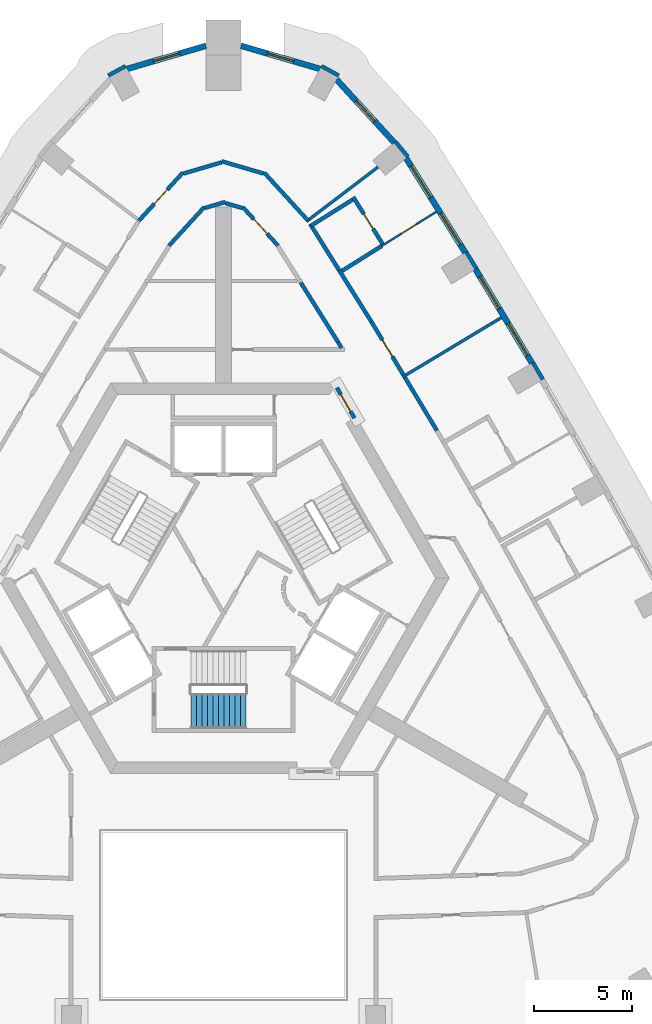
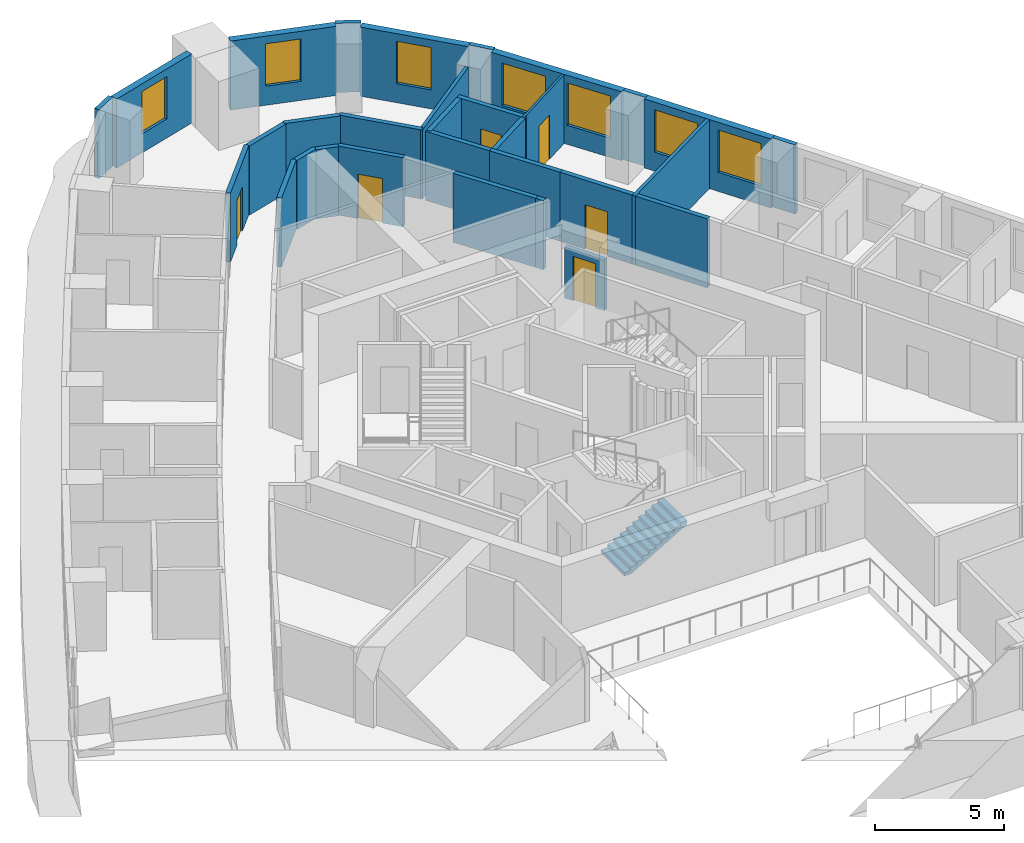
# One storey, part 9 of 13: 31 walls, 7 windows, 6 doors, 1 stair flight, 13 openings, 1 element without a shape of its own.
"""IFC4 building model written with IfcOpenShell, lengths in metres."""

from ifc_helpers import new_model, si_unit, direction, frame, frame_2d, origin, place, context, subcontext, project, spatial, polyline, rectangle, outline, extrude, material, layer, layer_set, type_object, element, fill, aggregate, save


model = new_model("IFC4")

# Units and contexts
model_context = context("Model", 3, precision=1e-05, world=origin(), true_north=direction((0.0, 1.0)))
body_context = subcontext(model_context, "Body", "Model", "MODEL_VIEW")
ifc_project = project(units=[si_unit("LENGTHUNIT", "METRE"), si_unit("AREAUNIT", "SQUARE_METRE"), si_unit("VOLUMEUNIT", "CUBIC_METRE"), si_unit("PLANEANGLEUNIT", "RADIAN"), si_unit("MASSUNIT", "GRAM", prefix="KILO")], contexts=[model_context])

# Site, building, storey
site_placement = place(None, origin())
site = spatial("IfcSite", under=ifc_project, at=site_placement, CompositionType="ELEMENT")
building_placement = place(site_placement, origin())
building = spatial("IfcBuilding", under=site, at=building_placement, Name="Entoto Arch Interchange Tower", CompositionType="ELEMENT")
storey_placement = place(building_placement, frame((0.0, 0.0, 266.60009765625)))
storey = spatial("IfcBuildingStorey", under=building, at=storey_placement, Name="L61", CompositionType="ELEMENT", Elevation=266.60009765625)

# Wall, opening, door
ifc_material_1 = material(Name="Reinforced concrete C40/50", Category="concrete")
ifc_layer_1 = layer(ifc_material_1, 0.199951171875)
ifc_layer_set_1 = layer_set([ifc_layer_1], Name="Reinforced concrete C40/50")
wall_type_1 = type_object("IfcWallType", Name="CORE GAP INFILL WALL", PredefinedType="PARTITIONING", material=ifc_layer_set_1)
wall_1_placement = place(storey_placement, frame((6.698974609375, 10.697021484375, 0.0), z_axis=(0.0, 0.0, 1.0), x_axis=(-0.499914839587, 0.866074565589, 0.0)))
wall_1 = element("IfcWall", 1, at=wall_1_placement, inside=storey, type_object=wall_type_1, Name="wall:L61:gap2", PredefinedType="PARTITIONING", context=body_context, shape_type="SweptSolid", body=[
    extrude(rectangle(XDim=1.794189453125, YDim=0.199951171875, at=frame_2d((0.89697265625, 0.0))), origin(), (0.0, 0.0, 1.0), 2.39990234375),
])
opening_1_placement = place(wall_1_placement, frame((0.39697265625, 0.0, 0.0)))
opening_1 = element("IfcOpeningElement", 2, at=opening_1_placement, cuts=wall_1, Name="Opening L61-D92", PredefinedType="OPENING", context=body_context, shape_type="SweptSolid", body=[
    extrude(rectangle(XDim=1.0, YDim=2.10009765625, at=frame_2d((0.5, 1.050048828125))), frame((0.0, 0.10986328125, 0.0), z_axis=(0.0, -1.0, 0.0), x_axis=(1.0, 0.0, 0.0)), (0.0, 0.0, 1.0), 0.219970703125),
])
ifc_material_2 = material(Name="Fire-rated Steel S235 door and frame", Category="steel")
door_type_1 = type_object("IfcDoorType", Name="DOOR FD-10 1000x2100", OperationType="SINGLE_SWING_LEFT", PredefinedType="DOOR", material=ifc_material_2)
door_1_placement = place(opening_1_placement, origin())
door_1 = element("IfcDoor", 3, at=door_1_placement, inside=storey, type_object=door_type_1, Name="door:L61:gap2", OperationType="SINGLE_SWING_LEFT", OverallHeight=2.10009765625, OverallWidth=1.0, PredefinedType="DOOR", context=body_context, shape_type="SweptSolid", body=[
    extrude(rectangle(XDim=1.0, YDim=2.10009765625, at=frame_2d((0.5, 1.050048828125))), frame((0.0, 0.02490234375, 0.0), z_axis=(0.0, -1.0, 0.0), x_axis=(1.0, 0.0, 0.0)), (0.0, 0.0, 1.0), 0.050048828125),
])
fill(opening_1, door_1)

ifc_material_3 = material(Name="Gypsum board partition on steel studs", Category="steel")
ifc_layer_2 = layer(ifc_material_3, 0.10009765625)
ifc_layer_set_2 = layer_set([ifc_layer_2], Name="Gypsum board partition on steel studs")
wall_type_2 = type_object("IfcWallType", Name="PARTITION 100", PredefinedType="PARTITIONING", material=ifc_layer_set_2)
wall_2_placement = place(storey_placement, frame((8.091064453125, 19.4990234375, 0.0), z_axis=(0.0, 0.0, 1.0), x_axis=(0.847249319986, 0.53119543464, 0.0)))
wall_2 = element("IfcWall", 4, at=wall_2_placement, inside=storey, type_object=wall_type_2, Name="wall:L61:p123", PredefinedType="PARTITIONING", context=body_context, shape_type="SweptSolid", body=[
    extrude(rectangle(XDim=3.300048828125, YDim=0.10009765625, at=frame_2d((1.64990234375, 0.0))), origin(), (0.0, 0.0, 1.0), 3.260009765625),
])
opening_2_placement = place(wall_2_placement, frame((1.199951171875, 0.0, 0.0)))
opening_2 = element("IfcOpeningElement", 5, at=opening_2_placement, cuts=wall_2, Name="Opening L61-D08", PredefinedType="OPENING", context=body_context, shape_type="SweptSolid", body=[
    extrude(rectangle(XDim=0.89990234375, YDim=2.10009765625, at=frame_2d((0.449951171875, 1.050048828125))), frame((0.0, 0.06005859375, 0.0), z_axis=(0.0, -1.0, 0.0), x_axis=(1.0, 0.0, 0.0)), (0.0, 0.0, 1.0), 0.1201171875),
])
ifc_material_4 = material(Name="Timber door leaf in Steel S235 frame", Category="steel")
door_type_2 = type_object("IfcDoorType", Name="DOOR DS-09 900x2100", OperationType="SINGLE_SWING_LEFT", PredefinedType="DOOR", material=ifc_material_4)
door_2_placement = place(opening_2_placement, origin())
door_2 = element("IfcDoor", 6, at=door_2_placement, inside=storey, type_object=door_type_2, Name="door:L61:08", OperationType="SINGLE_SWING_LEFT", OverallHeight=2.10009765625, OverallWidth=0.89990234375, PredefinedType="DOOR", context=body_context, shape_type="SweptSolid", body=[
    extrude(rectangle(XDim=0.89990234375, YDim=2.10009765625, at=frame_2d((0.449951171875, 1.050048828125))), frame((0.0, 0.02490234375, 0.0), z_axis=(0.0, -1.0, 0.0), x_axis=(1.0, 0.0, 0.0)), (0.0, 0.0, 1.0), 0.050048828125),
])
fill(opening_2, door_2)

# Walls
ifc_layer_3 = layer(ifc_material_3, 0.14990234375)
ifc_layer_set_3 = layer_set([ifc_layer_3], Name="Gypsum board partition on steel studs")
wall_type_3 = type_object("IfcWallType", Name="PARTITION 150", PredefinedType="PARTITIONING", material=ifc_layer_set_3)
wall_3_placement = place(storey_placement, frame((9.156982421875, 12.7919921875, 0.0), z_axis=(0.0, 0.0, 1.0), x_axis=(0.856933793276, 0.515426497129, 0.0)))
element("IfcWall", 7, at=wall_3_placement, inside=storey, type_object=wall_type_3, Name="wall:L61:p122", PredefinedType="PARTITIONING", context=body_context, shape_type="SweptSolid", body=[
    extrude(rectangle(XDim=5.89990234375, YDim=0.14990234375, at=frame_2d((2.949951171875, 0.0))), origin(), (0.0, 0.0, 1.0), 3.260009765625),
])
wall_4_placement = place(storey_placement, frame((4.238037109375, 20.7509765625, 0.0), z_axis=(0.0, 0.0, 1.0), x_axis=(0.795806473987, 0.605551034976, 0.0)))
element("IfcWall", 8, at=wall_4_placement, inside=storey, type_object=wall_type_3, Name="wall:L61:p127", PredefinedType="PARTITIONING", context=body_context, shape_type="SweptSolid", body=[
    extrude(rectangle(XDim=4.604248046875, YDim=0.14990234375, at=frame_2d((2.30224609375, 0.0))), origin(), (0.0, 0.0, 1.0), 3.260009765625),
])
ifc_layer_4 = layer(ifc_material_3, 0.199951171875)
ifc_layer_set_4 = layer_set([ifc_layer_4], Name="Gypsum board partition on steel studs")
wall_type_4 = type_object("IfcWallType", Name="PARTITION 200", PredefinedType="PARTITIONING", material=ifc_layer_set_4)
wall_5_placement = place(storey_placement, frame((6.041015625, 14.285888671875, 0.0), z_axis=(0.0, 0.0, 1.0), x_axis=(-0.513873647624, 0.857865883619, 0.0)))
element("IfcWall", 9, at=wall_5_placement, inside=storey, type_object=wall_type_4, Name="wall:L61:p010", PredefinedType="PARTITIONING", context=body_context, shape_type="SweptSolid", body=[
    extrude(rectangle(XDim=0.346435546875, YDim=0.199951171875, at=frame_2d((0.17333984375, 0.0))), origin(), (0.0, 0.0, 1.0), 3.260009765625),
])
wall_6_placement = place(storey_placement, frame((5.863037109375, 14.5830078125, 0.0), z_axis=(0.0, 0.0, 1.0), x_axis=(-0.531380509042, 0.847133256702, 0.0)))
element("IfcWall", 10, at=wall_6_placement, inside=storey, type_object=wall_type_4, Name="wall:L61:p011", PredefinedType="PARTITIONING", context=body_context, shape_type="SweptSolid", body=[
    extrude(rectangle(XDim=3.60400390625, YDim=0.199951171875, at=frame_2d((1.802001953125, 0.0))), origin(), (0.0, 0.0, 1.0), 3.260009765625),
])

# Wall, opening, door
wall_7_placement = place(storey_placement, frame((2.787109375, 19.52197265625, 0.0), z_axis=(0.0, 0.0, 1.0), x_axis=(-0.675132105979, 0.73769684795, 0.0)))
wall_7 = element("IfcWall", 11, at=wall_7_placement, inside=storey, type_object=wall_type_4, Name="wall:L61:p015", PredefinedType="PARTITIONING", context=body_context, shape_type="SweptSolid", body=[
    extrude(rectangle(XDim=2.669189453125, YDim=0.199951171875, at=frame_2d((1.33447265625, 0.0))), origin(), (0.0, 0.0, 1.0), 3.260009765625),
])
opening_3_placement = place(wall_7_placement, frame((0.8349609375, 0.0, 0.0)))
opening_3 = element("IfcOpeningElement", 12, at=opening_3_placement, cuts=wall_7, Name="Opening L61-D28", PredefinedType="OPENING", context=body_context, shape_type="SweptSolid", body=[
    extrude(rectangle(XDim=1.0, YDim=2.10009765625, at=frame_2d((0.5, 1.050048828125))), frame((0.0, 0.10986328125, 0.0), z_axis=(0.0, -1.0, 0.0), x_axis=(1.0, 0.0, 0.0)), (0.0, 0.0, 1.0), 0.219970703125),
])
door_type_3 = type_object("IfcDoorType", Name="DOOR DS-10 1000x2100", OperationType="SINGLE_SWING_LEFT", PredefinedType="DOOR", material=ifc_material_4)
door_3_placement = place(opening_3_placement, origin())
door_3 = element("IfcDoor", 13, at=door_3_placement, inside=storey, type_object=door_type_3, Name="door:L61:28", OperationType="SINGLE_SWING_LEFT", OverallHeight=2.10009765625, OverallWidth=1.0, PredefinedType="DOOR", context=body_context, shape_type="SweptSolid", body=[
    extrude(rectangle(XDim=1.0, YDim=2.10009765625, at=frame_2d((0.5, 1.050048828125))), frame((0.0, 0.02490234375, 0.0), z_axis=(0.0, -1.0, 0.0), x_axis=(1.0, 0.0, 0.0)), (0.0, 0.0, 1.0), 0.050048828125),
])
fill(opening_3, door_3)

# Walls
wall_8_placement = place(storey_placement, frame((0.95703125, 21.446044921875, 0.0), z_axis=(0.0, 0.0, 1.0), x_axis=(-0.959758875404, 0.28082539252, 0.0)))
element("IfcWall", 14, at=wall_8_placement, inside=storey, type_object=wall_type_4, Name="wall:L61:p016", PredefinedType="PARTITIONING", context=body_context, shape_type="SweptSolid", body=[
    extrude(rectangle(XDim=0.897216796875, YDim=0.199951171875, at=frame_2d((0.44873046875, 0.0))), origin(), (0.0, 0.0, 1.0), 3.260009765625),
])
wall_9_placement = place(storey_placement, frame((0.095947265625, 21.75390625, 0.0), z_axis=(0.0, 0.0, 1.0), x_axis=(-0.959817848073, -0.280623766849, 0.0)))
element("IfcWall", 15, at=wall_9_placement, inside=storey, type_object=wall_type_4, Name="wall:L61:p017", PredefinedType="PARTITIONING", context=body_context, shape_type="SweptSolid", body=[
    extrude(rectangle(XDim=1.09716796875, YDim=0.199951171875, at=frame_2d((0.548583984375, 0.0))), origin(), (0.0, 0.0, 1.0), 3.260009765625),
])
wall_10_placement = place(storey_placement, frame((-0.985107421875, 21.490966796875, 0.0), z_axis=(0.0, 0.0, 1.0), x_axis=(-0.675132105979, -0.73769684795, 0.0)))
element("IfcWall", 16, at=wall_10_placement, inside=storey, type_object=wall_type_4, Name="wall:L61:p018", PredefinedType="PARTITIONING", context=body_context, shape_type="SweptSolid", body=[
    extrude(rectangle(XDim=2.669189453125, YDim=0.199951171875, at=frame_2d((1.33447265625, 0.0))), origin(), (0.0, 0.0, 1.0), 3.260009765625),
])
wall_11_placement = place(storey_placement, frame((9.281005859375, 12.779052734375, 0.0), z_axis=(0.0, 0.0, 1.0), x_axis=(0.515568955032, -0.856848091908, 0.0)))
element("IfcWall", 17, at=wall_11_placement, inside=storey, type_object=wall_type_4, Name="wall:L61:p047", PredefinedType="PARTITIONING", context=body_context, shape_type="SweptSolid", body=[
    extrude(rectangle(XDim=3.177001953125, YDim=0.199951171875, at=frame_2d((1.58837890625, 0.0))), origin(), (0.0, 0.0, 1.0), 3.260009765625),
])
wall_12_placement = place(storey_placement, frame((5.919921875, 18.256103515625, 0.0), z_axis=(0.0, 0.0, 1.0), x_axis=(0.531152062518, -0.84727651123, 0.0)))
element("IfcWall", 18, at=wall_12_placement, inside=storey, type_object=wall_type_4, Name="wall:L61:p050", PredefinedType="PARTITIONING", context=body_context, shape_type="SweptSolid", body=[
    extrude(rectangle(XDim=3.100830078125, YDim=0.199951171875, at=frame_2d((1.55029296875, 0.0))), origin(), (0.0, 0.0, 1.0), 3.260009765625),
])

# Wall, opening, door
wall_13_placement = place(storey_placement, frame((7.56689453125, 15.62890625, 0.0), z_axis=(0.0, 0.0, 1.0), x_axis=(0.51556943596, -0.856847802532, 0.0)))
wall_13 = element("IfcWall", 19, at=wall_13_placement, inside=storey, type_object=wall_type_4, Name="wall:L61:p051", PredefinedType="PARTITIONING", context=body_context, shape_type="SweptSolid", body=[
    extrude(rectangle(XDim=3.175537109375, YDim=0.199951171875, at=frame_2d((1.587890625, 0.0))), origin(), (0.0, 0.0, 1.0), 3.260009765625),
])
opening_4_placement = place(wall_13_placement, frame((1.087890625, 0.0, 0.0)))
opening_4 = element("IfcOpeningElement", 20, at=opening_4_placement, cuts=wall_13, Name="Opening L61-D07", PredefinedType="OPENING", context=body_context, shape_type="SweptSolid", body=[
    extrude(rectangle(XDim=1.0, YDim=2.10009765625, at=frame_2d((0.5, 1.050048828125))), frame((0.0, 0.10986328125, 0.0), z_axis=(0.0, -1.0, 0.0), x_axis=(1.0, 0.0, 0.0)), (0.0, 0.0, 1.0), 0.219970703125),
])
door_4_placement = place(opening_4_placement, origin())
door_4 = element("IfcDoor", 21, at=door_4_placement, inside=storey, type_object=door_type_1, Name="door:L61:07", OperationType="SINGLE_SWING_RIGHT", OverallHeight=2.10009765625, OverallWidth=1.0, PredefinedType="DOOR", context=body_context, shape_type="SweptSolid", body=[
    extrude(rectangle(XDim=1.0, YDim=2.10009765625, at=frame_2d((0.5, 1.050048828125))), frame((0.0, 0.02490234375, 0.0), z_axis=(0.0, -1.0, 0.0), x_axis=(1.0, 0.0, 0.0)), (0.0, 0.0, 1.0), 0.050048828125),
])
fill(opening_4, door_4)

# Wall
wall_14_placement = place(storey_placement, frame((4.43310546875, 20.6279296875, 0.0), z_axis=(0.0, 0.0, 1.0), x_axis=(0.531135189756, -0.84728708842, 0.0)))
element("IfcWall", 22, at=wall_14_placement, inside=storey, type_object=wall_type_4, Name="wall:L61:p052", PredefinedType="PARTITIONING", context=body_context, shape_type="SweptSolid", body=[
    extrude(rectangle(XDim=2.79931640625, YDim=0.199951171875, at=frame_2d((1.399658203125, 0.0))), origin(), (0.0, 0.0, 1.0), 3.260009765625),
])

# Wall, opening, door
wall_15_placement = place(storey_placement, frame((-4.3349609375, 20.79296875, 0.0), z_axis=(0.0, 0.0, 1.0), x_axis=(0.675074517272, 0.737749548377, 0.0)))
wall_15 = element("IfcWall", 23, at=wall_15_placement, inside=storey, type_object=wall_type_4, Name="wall:L61:p053", PredefinedType="PARTITIONING", context=body_context, shape_type="SweptSolid", body=[
    extrude(rectangle(XDim=3.33447265625, YDim=0.199951171875, at=frame_2d((1.667236328125, 0.0))), origin(), (0.0, 0.0, 1.0), 3.260009765625),
])
opening_5_placement = place(wall_15_placement, frame((1.1669921875, 0.0, 0.0)))
opening_5 = element("IfcOpeningElement", 24, at=opening_5_placement, cuts=wall_15, Name="Opening L61-D21", PredefinedType="OPENING", context=body_context, shape_type="SweptSolid", body=[
    extrude(rectangle(XDim=1.0, YDim=2.10009765625, at=frame_2d((0.5, 1.050048828125))), frame((0.0, 0.10986328125, 0.0), z_axis=(0.0, -1.0, 0.0), x_axis=(1.0, 0.0, 0.0)), (0.0, 0.0, 1.0), 0.219970703125),
])
door_5_placement = place(opening_5_placement, origin())
door_5 = element("IfcDoor", 25, at=door_5_placement, inside=storey, type_object=door_type_3, Name="door:L61:21", OperationType="SINGLE_SWING_LEFT", OverallHeight=2.10009765625, OverallWidth=1.0, PredefinedType="DOOR", context=body_context, shape_type="SweptSolid", body=[
    extrude(rectangle(XDim=1.0, YDim=2.10009765625, at=frame_2d((0.5, 1.050048828125))), frame((0.0, 0.02490234375, 0.0), z_axis=(0.0, -1.0, 0.0), x_axis=(1.0, 0.0, 0.0)), (0.0, 0.0, 1.0), 0.050048828125),
])
fill(opening_5, door_5)

# Walls
wall_16_placement = place(storey_placement, frame((-2.054931640625, 23.2080078125, 0.0), z_axis=(0.0, 0.0, 1.0), x_axis=(0.959656367963, 0.281175488669, 0.0)))
element("IfcWall", 26, at=wall_16_placement, inside=storey, type_object=wall_type_4, Name="wall:L61:p054", PredefinedType="PARTITIONING", context=body_context, shape_type="SweptSolid", body=[
    extrude(rectangle(XDim=2.041259765625, YDim=0.199951171875, at=frame_2d((1.0205078125, 0.0))), origin(), (0.0, 0.0, 1.0), 3.260009765625),
])
wall_17_placement = place(storey_placement, frame((-0.095947265625, 23.837890625, 0.0), z_axis=(0.0, 0.0, 1.0), x_axis=(0.959694419707, -0.281045584886, 0.0)))
element("IfcWall", 27, at=wall_17_placement, inside=storey, type_object=wall_type_4, Name="wall:L61:p055", PredefinedType="PARTITIONING", context=body_context, shape_type="SweptSolid", body=[
    extrude(rectangle(XDim=2.2412109375, YDim=0.199951171875, at=frame_2d((1.12060546875, 0.0))), origin(), (0.0, 0.0, 1.0), 3.260009765625),
])
wall_18_placement = place(storey_placement, frame((2.083984375, 23.2529296875, 0.0), z_axis=(0.0, 0.0, 1.0), x_axis=(0.675074517272, -0.737749548377, 0.0)))
element("IfcWall", 28, at=wall_18_placement, inside=storey, type_object=wall_type_4, Name="wall:L61:p056", PredefinedType="PARTITIONING", context=body_context, shape_type="SweptSolid", body=[
    extrude(rectangle(XDim=3.33447265625, YDim=0.199951171875, at=frame_2d((1.667236328125, 0.0))), origin(), (0.0, 0.0, 1.0), 3.260009765625),
])
wall_19_placement = place(storey_placement, frame((6.05810546875, 18.22412109375, 0.0), z_axis=(0.0, 0.0, 1.0), x_axis=(0.847191403331, 0.531287799711, 0.0)))
element("IfcWall", 29, at=wall_19_placement, inside=storey, type_object=wall_type_4, Name="wall:L61:p124", PredefinedType="PARTITIONING", context=body_context, shape_type="SweptSolid", body=[
    extrude(rectangle(XDim=2.399658203125, YDim=0.199951171875, at=frame_2d((1.19970703125, 0.0))), origin(), (0.0, 0.0, 1.0), 3.260009765625),
])

# Wall, opening, door
wall_20_placement = place(storey_placement, frame((8.202880859375, 19.510009765625, 0.0), z_axis=(0.0, 0.0, 1.0), x_axis=(-0.531218552952, 0.847234825181, 0.0)))
wall_20 = element("IfcWall", 30, at=wall_20_placement, inside=storey, type_object=wall_type_4, Name="wall:L61:p125", PredefinedType="PARTITIONING", context=body_context, shape_type="SweptSolid", body=[
    extrude(rectangle(XDim=2.94970703125, YDim=0.199951171875, at=frame_2d((1.474853515625, 0.0))), origin(), (0.0, 0.0, 1.0), 3.260009765625),
])
opening_6_placement = place(wall_20_placement, frame((1.02490234375, 0.0, 0.0)))
opening_6 = element("IfcOpeningElement", 31, at=opening_6_placement, cuts=wall_20, Name="Opening L61-D09", PredefinedType="OPENING", context=body_context, shape_type="SweptSolid", body=[
    extrude(rectangle(XDim=0.89990234375, YDim=2.10009765625, at=frame_2d((0.449951171875, 1.050048828125))), frame((0.0, 0.10986328125, 0.0), z_axis=(0.0, -1.0, 0.0), x_axis=(1.0, 0.0, 0.0)), (0.0, 0.0, 1.0), 0.219970703125),
])
door_6_placement = place(opening_6_placement, origin())
door_6 = element("IfcDoor", 32, at=door_6_placement, inside=storey, type_object=door_type_2, Name="door:L61:09", OperationType="SINGLE_SWING_RIGHT", OverallHeight=2.10009765625, OverallWidth=0.89990234375, PredefinedType="DOOR", context=body_context, shape_type="SweptSolid", body=[
    extrude(rectangle(XDim=0.89990234375, YDim=2.10009765625, at=frame_2d((0.449951171875, 1.050048828125))), frame((0.0, 0.02490234375, 0.0), z_axis=(0.0, -1.0, 0.0), x_axis=(1.0, 0.0, 0.0)), (0.0, 0.0, 1.0), 0.050048828125),
])
fill(opening_6, door_6)

# Wall
wall_21_placement = place(storey_placement, frame((6.60400390625, 21.87109375, 0.0), z_axis=(0.0, 0.0, 1.0), x_axis=(-0.847377617561, -0.530990746866, 0.0)))
element("IfcWall", 33, at=wall_21_placement, inside=storey, type_object=wall_type_4, Name="wall:L61:p126", PredefinedType="PARTITIONING", context=body_context, shape_type="SweptSolid", body=[
    extrude(rectangle(XDim=2.499267578125, YDim=0.199951171875, at=frame_2d((1.24951171875, 0.0))), origin(), (0.0, 0.0, 1.0), 3.260009765625),
])

# Wall, openings, windows
ifc_material_5 = material(Name="Welded tuff (ignimbrite) cladding, warm buff", Category="masonry")
ifc_layer_5 = layer(ifc_material_5, 0.300048828125)
ifc_layer_set_5 = layer_set([ifc_layer_5], Name="Welded tuff (ignimbrite) cladding, warm buff")
wall_type_5 = type_object("IfcWallType", Name="STONE INFILL WALL 300", PredefinedType="STANDARD", material=ifc_layer_set_5)
wall_22_placement = place(storey_placement, frame((15.7880859375, 13.506103515625, 0.0), z_axis=(0.0, 0.0, 1.0), x_axis=(-0.515435742129, 0.856928232547, 0.0)))
wall_22 = element("IfcWall", 34, at=wall_22_placement, inside=storey, type_object=wall_type_5, Name="Facade wall NE-04 L61", PredefinedType="STANDARD", context=body_context, shape_type="SweptSolid", body=[
    extrude(rectangle(XDim=5.61279296875, YDim=0.300048828125, at=frame_2d((2.806396484375, 0.0))), origin(), (0.0, 0.0, 1.0), 3.260009765625),
])
opening_7_placement = place(wall_22_placement, frame((0.452880859375, 0.0, 0.89990234375)))
opening_7 = element("IfcOpeningElement", 35, at=opening_7_placement, cuts=wall_22, Name="Opening WH-C", PredefinedType="OPENING", context=body_context, shape_type="SweptSolid", body=[
    extrude(rectangle(XDim=1.89990234375, YDim=2.0, at=frame_2d((0.949951171875, 1.0))), frame((0.0, 0.16015625, 0.0), z_axis=(0.0, -1.0, 0.0), x_axis=(1.0, 0.0, 0.0)), (0.0, 0.0, 1.0), 0.320068359375),
])
opening_8_placement = place(wall_22_placement, frame((3.260009765625, 0.0, 0.89990234375)))
opening_8 = element("IfcOpeningElement", 36, at=opening_8_placement, cuts=wall_22, Name="Opening WH-C", PredefinedType="OPENING", context=body_context, shape_type="SweptSolid", body=[
    extrude(rectangle(XDim=1.89990234375, YDim=2.0, at=frame_2d((0.949951171875, 1.0))), frame((0.0, 0.16015625, 0.0), z_axis=(0.0, -1.0, 0.0), x_axis=(1.0, 0.0, 0.0)), (0.0, 0.0, 1.0), 0.320068359375),
])
ifc_material_6 = material(Name="Clear glass, low-e double glazed", Category="glass")
window_type_1 = type_object("IfcWindowType", Name="WINDOW WH-C 1900x2000", PartitioningType="DOUBLE_PANEL_VERTICAL", PredefinedType="WINDOW", material=ifc_material_6)
window_1_placement = place(opening_7_placement, origin())
window_1 = element("IfcWindow", 37, at=window_1_placement, inside=storey, type_object=window_type_1, Name="Window WH-C NE-04 L61", OverallHeight=2.0, OverallWidth=1.89990234375, PartitioningType="SINGLE_PANEL", PredefinedType="WINDOW", context=body_context, shape_type="SweptSolid", body=[
    extrude(rectangle(XDim=1.89990234375, YDim=2.0, at=frame_2d((0.949951171875, 1.0))), frame((0.0, 0.030029296875, 0.0), z_axis=(0.0, -1.0, 0.0), x_axis=(1.0, 0.0, 0.0)), (0.0, 0.0, 1.0), 0.06005859375),
])
fill(opening_7, window_1)
window_2_placement = place(opening_8_placement, origin())
window_2 = element("IfcWindow", 38, at=window_2_placement, inside=storey, type_object=window_type_1, Name="Window WH-C NE-04 L61", OverallHeight=2.0, OverallWidth=1.89990234375, PartitioningType="SINGLE_PANEL", PredefinedType="WINDOW", context=body_context, shape_type="SweptSolid", body=[
    extrude(rectangle(XDim=1.89990234375, YDim=2.0, at=frame_2d((0.949951171875, 1.0))), frame((0.0, 0.030029296875, 0.0), z_axis=(0.0, -1.0, 0.0), x_axis=(1.0, 0.0, 0.0)), (0.0, 0.0, 1.0), 0.06005859375),
])
fill(opening_8, window_2)

wall_23_placement = place(storey_placement, frame((12.3720703125, 19.166015625, 0.0), z_axis=(0.0, 0.0, 1.0), x_axis=(-0.531137483242, 0.847285650708, 0.0)))
wall_23 = element("IfcWall", 39, at=wall_23_placement, inside=storey, type_object=wall_type_5, Name="Facade wall NE-05 L61", PredefinedType="STANDARD", context=body_context, shape_type="SweptSolid", body=[
    extrude(rectangle(XDim=5.702880859375, YDim=0.300048828125, at=frame_2d((2.8515625, 0.0))), origin(), (0.0, 0.0, 1.0), 3.260009765625),
])
opening_9_placement = place(wall_23_placement, frame((0.47607421875, 0.0, 0.89990234375)))
opening_9 = element("IfcOpeningElement", 40, at=opening_9_placement, cuts=wall_23, Name="Opening WH-C", PredefinedType="OPENING", context=body_context, shape_type="SweptSolid", body=[
    extrude(rectangle(XDim=1.89990234375, YDim=2.0, at=frame_2d((0.949951171875, 1.0))), frame((0.0, 0.16015625, 0.0), z_axis=(0.0, -1.0, 0.0), x_axis=(1.0, 0.0, 0.0)), (0.0, 0.0, 1.0), 0.320068359375),
])
opening_10_placement = place(wall_23_placement, frame((3.326904296875, 0.0, 0.89990234375)))
opening_10 = element("IfcOpeningElement", 41, at=opening_10_placement, cuts=wall_23, Name="Opening WH-C", PredefinedType="OPENING", context=body_context, shape_type="SweptSolid", body=[
    extrude(rectangle(XDim=1.89990234375, YDim=2.0, at=frame_2d((0.949951171875, 1.0))), frame((0.0, 0.16015625, 0.0), z_axis=(0.0, -1.0, 0.0), x_axis=(1.0, 0.0, 0.0)), (0.0, 0.0, 1.0), 0.320068359375),
])
window_3_placement = place(opening_9_placement, origin())
window_3 = element("IfcWindow", 42, at=window_3_placement, inside=storey, type_object=window_type_1, Name="Window WH-C NE-05 L61", OverallHeight=2.0, OverallWidth=1.89990234375, PartitioningType="SINGLE_PANEL", PredefinedType="WINDOW", context=body_context, shape_type="SweptSolid", body=[
    extrude(rectangle(XDim=1.89990234375, YDim=2.0, at=frame_2d((0.949951171875, 1.0))), frame((0.0, 0.030029296875, 0.0), z_axis=(0.0, -1.0, 0.0), x_axis=(1.0, 0.0, 0.0)), (0.0, 0.0, 1.0), 0.06005859375),
])
fill(opening_9, window_3)
window_4_placement = place(opening_10_placement, origin())
window_4 = element("IfcWindow", 43, at=window_4_placement, inside=storey, type_object=window_type_1, Name="Window WH-C NE-05 L61", OverallHeight=2.0, OverallWidth=1.89990234375, PartitioningType="SINGLE_PANEL", PredefinedType="WINDOW", context=body_context, shape_type="SweptSolid", body=[
    extrude(rectangle(XDim=1.89990234375, YDim=2.0, at=frame_2d((0.949951171875, 1.0))), frame((0.0, 0.030029296875, 0.0), z_axis=(0.0, -1.0, 0.0), x_axis=(1.0, 0.0, 0.0)), (0.0, 0.0, 1.0), 0.06005859375),
])
fill(opening_10, window_4)

# Wall, opening, window
wall_24_placement = place(storey_placement, frame((8.739013671875, 24.7939453125, 0.0), z_axis=(0.0, 0.0, 1.0), x_axis=(-0.675143863554, 0.737686087374, 0.0)))
wall_24 = element("IfcWall", 44, at=wall_24_placement, inside=storey, type_object=wall_type_5, Name="Facade wall N-01 L61", PredefinedType="STANDARD", context=body_context, shape_type="SweptSolid", body=[
    extrude(rectangle(XDim=4.3798828125, YDim=0.300048828125, at=frame_2d((2.18994140625, 0.0))), origin(), (0.0, 0.0, 1.0), 3.260009765625),
])
opening_11_placement = place(wall_24_placement, frame((1.489990234375, 0.0, 0.89990234375)))
opening_11 = element("IfcOpeningElement", 45, at=opening_11_placement, cuts=wall_24, Name="Opening WH-B", PredefinedType="OPENING", context=body_context, shape_type="SweptSolid", body=[
    extrude(rectangle(XDim=1.39990234375, YDim=2.0, at=frame_2d((0.699951171875, 1.0))), frame((0.0, 0.16015625, 0.0), z_axis=(0.0, -1.0, 0.0), x_axis=(1.0, 0.0, 0.0)), (0.0, 0.0, 1.0), 0.320068359375),
])
window_type_2 = type_object("IfcWindowType", Name="WINDOW WH-B 1400x2000", PartitioningType="DOUBLE_PANEL_VERTICAL", PredefinedType="WINDOW", material=ifc_material_6)
window_5_placement = place(opening_11_placement, origin())
window_5 = element("IfcWindow", 46, at=window_5_placement, inside=storey, type_object=window_type_2, Name="Window WH-B N-01 L61", OverallHeight=2.0, OverallWidth=1.39990234375, PartitioningType="SINGLE_PANEL", PredefinedType="WINDOW", context=body_context, shape_type="SweptSolid", body=[
    extrude(rectangle(XDim=1.39990234375, YDim=2.0, at=frame_2d((0.699951171875, 1.0))), frame((0.0, 0.030029296875, 0.0), z_axis=(0.0, -1.0, 0.0), x_axis=(1.0, 0.0, 0.0)), (0.0, 0.0, 1.0), 0.06005859375),
])
fill(opening_11, window_5)

wall_25_placement = place(storey_placement, frame((4.93896484375, 28.56298828125, 0.0), z_axis=(0.0, 0.0, 1.0), x_axis=(-0.959632861734, 0.281255703373, 0.0)))
wall_25 = element("IfcWall", 47, at=wall_25_placement, inside=storey, type_object=wall_type_5, Name="Facade wall N-02 L61", PredefinedType="STANDARD", context=body_context, shape_type="SweptSolid", body=[
    extrude(rectangle(XDim=4.2099609375, YDim=0.300048828125, at=frame_2d((2.10498046875, 0.0))), origin(), (0.0, 0.0, 1.0), 3.260009765625),
])
opening_12_placement = place(wall_25_placement, frame((1.405029296875, 0.0, 0.89990234375)))
opening_12 = element("IfcOpeningElement", 48, at=opening_12_placement, cuts=wall_25, Name="Opening WH-B", PredefinedType="OPENING", context=body_context, shape_type="SweptSolid", body=[
    extrude(rectangle(XDim=1.39990234375, YDim=2.0, at=frame_2d((0.699951171875, 1.0))), frame((0.0, 0.16015625, 0.0), z_axis=(0.0, -1.0, 0.0), x_axis=(1.0, 0.0, 0.0)), (0.0, 0.0, 1.0), 0.320068359375),
])
window_6_placement = place(opening_12_placement, origin())
window_6 = element("IfcWindow", 49, at=window_6_placement, inside=storey, type_object=window_type_2, Name="Window WH-B N-02 L61", OverallHeight=2.0, OverallWidth=1.39990234375, PartitioningType="SINGLE_PANEL", PredefinedType="WINDOW", context=body_context, shape_type="SweptSolid", body=[
    extrude(rectangle(XDim=1.39990234375, YDim=2.0, at=frame_2d((0.699951171875, 1.0))), frame((0.0, 0.030029296875, 0.0), z_axis=(0.0, -1.0, 0.0), x_axis=(1.0, 0.0, 0.0)), (0.0, 0.0, 1.0), 0.06005859375),
])
fill(opening_12, window_6)

wall_26_placement = place(storey_placement, frame((-0.89892578125, 29.7470703125, 0.0), z_axis=(0.0, 0.0, 1.0), x_axis=(-0.959632861734, -0.281255703373, 0.0)))
wall_26 = element("IfcWall", 50, at=wall_26_placement, inside=storey, type_object=wall_type_5, Name="Facade wall N-03 L61", PredefinedType="STANDARD", context=body_context, shape_type="SweptSolid", body=[
    extrude(rectangle(XDim=4.2099609375, YDim=0.300048828125, at=frame_2d((2.10498046875, 0.0))), origin(), (0.0, 0.0, 1.0), 3.260009765625),
])
opening_13_placement = place(wall_26_placement, frame((1.405029296875, 0.0, 0.89990234375)))
opening_13 = element("IfcOpeningElement", 51, at=opening_13_placement, cuts=wall_26, Name="Opening WH-B", PredefinedType="OPENING", context=body_context, shape_type="SweptSolid", body=[
    extrude(rectangle(XDim=1.39990234375, YDim=2.0, at=frame_2d((0.699951171875, 1.0))), frame((0.0, 0.16015625, 0.0), z_axis=(0.0, -1.0, 0.0), x_axis=(1.0, 0.0, 0.0)), (0.0, 0.0, 1.0), 0.320068359375),
])
window_7_placement = place(opening_13_placement, origin())
window_7 = element("IfcWindow", 52, at=window_7_placement, inside=storey, type_object=window_type_2, Name="Window WH-B N-03 L61", OverallHeight=2.0, OverallWidth=1.39990234375, PartitioningType="SINGLE_PANEL", PredefinedType="WINDOW", context=body_context, shape_type="SweptSolid", body=[
    extrude(rectangle(XDim=1.39990234375, YDim=2.0, at=frame_2d((0.699951171875, 1.0))), frame((0.0, 0.030029296875, 0.0), z_axis=(0.0, -1.0, 0.0), x_axis=(1.0, 0.0, 0.0)), (0.0, 0.0, 1.0), 0.06005859375),
])
fill(opening_13, window_7)

# Walls
ifc_layer_6 = layer(ifc_material_5, 0.199951171875)
ifc_layer_set_6 = layer_set([ifc_layer_6], Name="Welded tuff (ignimbrite) cladding, warm buff")
wall_type_6 = type_object("IfcWallType", Name="STONE PIER CLADDING 200", PredefinedType="STANDARD", material=ifc_layer_set_6)
for number, where, z_axis, x_axis, name in (
    (53, (5.89306640625, 28.22705078125, 0.0), (0.0, 0.0, 1.0), (-0.878305841364, 0.478099204168, 0.0), "Stone pier N1 L61"),
    (54, (-5.014892578125, 28.705078125, 0.0), (0.0, 0.0, 1.0), (-0.878305841364, -0.478099204168, 0.0), "Stone pier N3 L61"),
):
    element("IfcWall", number, at=place(storey_placement, frame(where, z_axis=z_axis, x_axis=x_axis)), inside=storey, type_object=wall_type_6, Name=name, PredefinedType="STANDARD", context=body_context, shape_type="SweptSolid", body=[
        extrude(rectangle(XDim=0.999755859375, YDim=0.199951171875, at=frame_2d((0.5, 0.0))), origin(), (0.0, 0.0, 1.0), 3.260009765625),
    ])
wall_27_placement = place(storey_placement, frame((16.342041015625, 12.674072265625, 0.0), z_axis=(0.0, 0.0, 1.0), x_axis=(-0.508268432768, 0.861198699634, 0.0)))
element("IfcWall", 55, at=wall_27_placement, inside=storey, type_object=wall_type_6, Name="Stone pier NE04 L61", PredefinedType="STANDARD", context=body_context, shape_type="SweptSolid", body=[
    extrude(rectangle(XDim=0.99951171875, YDim=0.199951171875, at=frame_2d((0.499755859375, 0.0))), origin(), (0.0, 0.0, 1.0), 3.260009765625),
])
wall_28_placement = place(storey_placement, frame((12.943115234375, 18.343994140625, 0.0), z_axis=(0.0, 0.0, 1.0), x_axis=(-0.525825307325, 0.850592585306, 0.0)))
element("IfcWall", 56, at=wall_28_placement, inside=storey, type_object=wall_type_6, Name="Stone pier NE05 L61", PredefinedType="STANDARD", context=body_context, shape_type="SweptSolid", body=[
    extrude(rectangle(XDim=1.00048828125, YDim=0.199951171875, at=frame_2d((0.500244140625, 0.0))), origin(), (0.0, 0.0, 1.0), 3.260009765625),
])
wall_29_placement = place(storey_placement, frame((9.43408203125, 24.072021484375, 0.0), z_axis=(0.0, 0.0, 1.0), x_axis=(-0.638117112481, 0.769939316283, 0.0)))
element("IfcWall", 57, at=wall_29_placement, inside=storey, type_object=wall_type_6, Name="Stone pier NE06 L61", PredefinedType="STANDARD", context=body_context, shape_type="SweptSolid", body=[
    extrude(rectangle(XDim=1.0, YDim=0.199951171875, at=frame_2d((0.5, 0.0))), origin(), (0.0, 0.0, 1.0), 3.260009765625),
])

# Stair, stair flight
ifc_material_7 = material(Name="Concrete C40/50", Category="concrete")
stair_type = type_object("IfcStairType", Name="EXIT STAIR RC 1800", PredefinedType="HALF_TURN_STAIR", material=ifc_material_7)
stair_placement = place(storey_placement, origin())
stair = element("IfcStair", 58, at=stair_placement, inside=storey, type_object=stair_type, Name="L61 Exit stair S", PredefinedType="HALF_TURN_STAIR")
stair_flight_type = type_object("IfcStairFlightType", Name="EXIT STAIR FLIGHT RC 1800", PredefinedType="STRAIGHT", material=ifc_material_7)
stair_flight_placement = place(storey_placement, frame((-1.64990234375, -4.300048828125, 0.0), z_axis=(0.0, 0.0, 1.0), x_axis=(1.0, 0.0, 0.0)))
stair_flight = element("IfcStairFlight", 59, at=stair_flight_placement, type_object=stair_flight_type, Name="ST-S flight 1", NumberOfRisers=11, NumberOfTreads=10, PredefinedType="STRAIGHT", RiserHeight=0.163636364, TreadLength=0.28, context=body_context, shape_type="SweptSolid", body=[
    extrude(outline(polyline([(-0.0029296875, 0.0), (-0.0029296875, 0.16357421875), (0.280029296875, 0.16357421875), (0.280029296875, 0.327392578125), (0.56005859375, 0.327392578125), (0.56005859375, 0.490966796875), (0.840087890625, 0.490966796875), (0.840087890625, 0.654541015625), (1.1201171875, 0.654541015625), (1.1201171875, 0.818115234375), (1.39990234375, 0.818115234375), (1.39990234375, 0.98193359375), (1.679931640625, 0.98193359375), (1.679931640625, 1.1455078125), (1.9599609375, 1.1455078125), (1.9599609375, 1.30908203125), (2.239990234375, 1.30908203125), (2.239990234375, 1.47265625), (2.52001953125, 1.47265625), (2.52001953125, 1.636474609375), (2.800048828125, 1.636474609375), (2.802978515625, 1.636474609375), (2.802978515625, 1.464599609375), (0.297119140625, 0.0), (-0.0029296875, 0.0)])), frame((0.0, 0.89990234375, 0.0), z_axis=(0.0, -1.0, 0.0), x_axis=(1.0, 0.0, 0.0)), (0.0, 0.0, 1.0), 1.800048828125),
])
aggregate(stair, [stair_flight])

save(model, "model.ifc")
